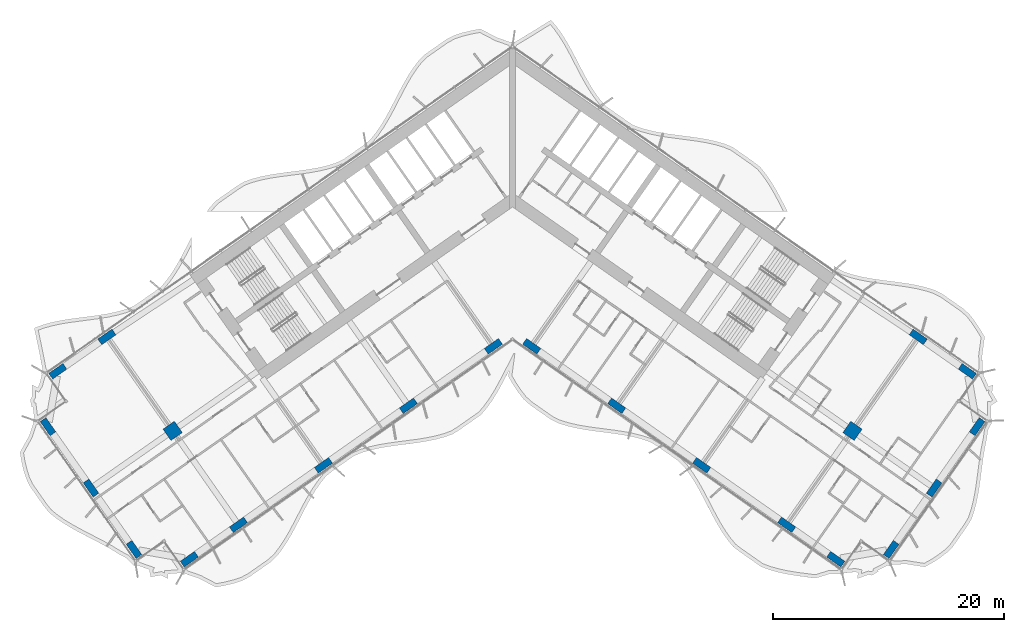
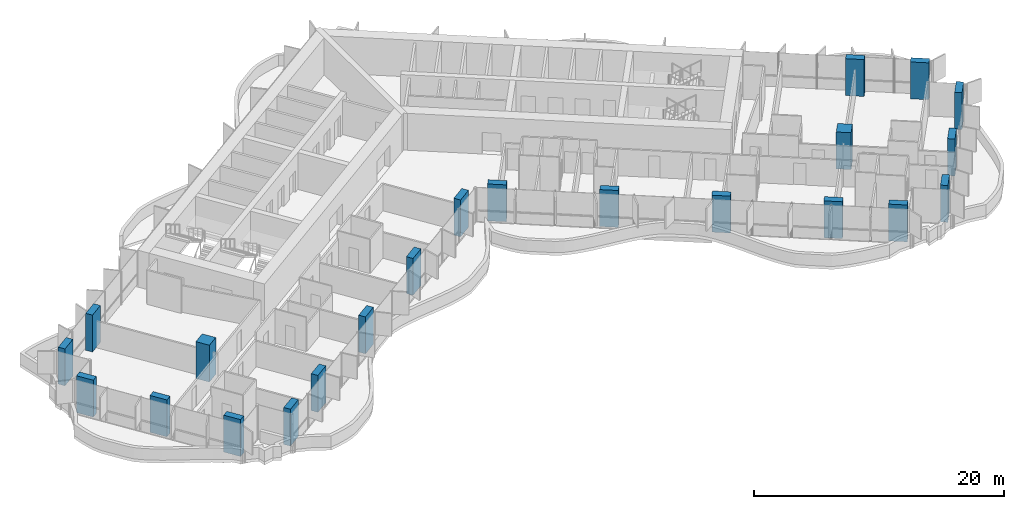
# One storey, part 1 of 23: 22 columns.
"""IFC4 building model written with IfcOpenShell, lengths in metres."""

from ifc_helpers import new_model, si_unit, direction, frame, origin, origin_2d, place, context, subcontext, project, spatial, rectangle, extrude, material, material_profile, profile_set, type_object, element, save


model = new_model("IFC4")

# Units and contexts
model_context = context("Model", 3, precision=1e-05, world=origin(), true_north=direction((0.0, 1.0)))
body_context = subcontext(model_context, "Body", "Model", "MODEL_VIEW")
ifc_project = project(units=[si_unit("LENGTHUNIT", "METRE"), si_unit("AREAUNIT", "SQUARE_METRE"), si_unit("VOLUMEUNIT", "CUBIC_METRE"), si_unit("PLANEANGLEUNIT", "RADIAN"), si_unit("MASSUNIT", "GRAM", prefix="KILO")], contexts=[model_context])

# Site, building, storey
site_placement = place(None, origin())
site = spatial("IfcSite", under=ifc_project, at=site_placement, CompositionType="ELEMENT")
building_placement = place(site_placement, origin())
building = spatial("IfcBuilding", under=site, at=building_placement, Name="Tel Ilan Convention Tower", CompositionType="ELEMENT")
storey_placement = place(building_placement, frame((0.0, 0.0, 115.699951171875)))
storey = spatial("IfcBuildingStorey", under=building, at=storey_placement, Name="L25", CompositionType="ELEMENT", Elevation=115.699951171875)

# Columns
ifc_material_1 = material(Name="Concrete C60/75", Category="concrete")
ifc_material_profile_1 = material_profile(ifc_material_1, rectangle(XDim=1.199951171875, YDim=1.199951171875, at=origin_2d()), Name="RC 1200x1200")
ifc_profile_set_1 = profile_set([ifc_material_profile_1], Name="Concrete C60/75")
column_type_1 = type_object("IfcColumnType", Name="Column RC 1200x1200 C60/75", PredefinedType="COLUMN", material=ifc_profile_set_1)
for number, where, z_axis, x_axis, name in (
    (1, (-29.489501953125, -20.648681640625, 0.0), (0.0, 0.0, 1.0), (-0.819152044289, -0.573576436351, 0.0), "L25 column W-M4"),
    (2, (29.489501953125, -20.648681640625, 0.0), (0.0, 0.0, 1.0), (0.819152044289, -0.573576436351, 0.0), "L25 column E-M4"),
):
    element("IfcColumn", number, at=place(storey_placement, frame(where, z_axis=z_axis, x_axis=x_axis)), inside=storey, type_object=column_type_1, Name=name, PredefinedType="COLUMN", context=body_context, shape_type="SweptSolid", body=[
        extrude(rectangle(XDim=1.199951171875, YDim=1.199951171875, at=origin_2d()), origin(), (0.0, 0.0, 1.0), 3.60009765625),
    ])
ifc_material_2 = material(Name="Concrete C60/75", Category="concrete")
ifc_material_profile_2 = material_profile(ifc_material_2, rectangle(XDim=1.5, YDim=0.60009765625, at=origin_2d()), Name="RC 600x1500")
ifc_profile_set_2 = profile_set([ifc_material_profile_2], Name="Concrete C60/75")
column_type_2 = type_object("IfcColumnType", Name="Column RC 600x1500 C60/75", PredefinedType="COLUMN", material=ifc_profile_set_2)
for number, where, z_axis, x_axis, name in (
    (3, (-1.665283203125, -13.312744140625, 0.0), (0.0, 0.0, 1.0), (-0.819152044289, -0.573576436351, 0.0), "L25 column W-F1"),
    (4, (-9.03759765625, -18.474853515625, 0.0), (0.0, 0.0, 1.0), (-0.819152044289, -0.573576436351, 0.0), "L25 column W-F2"),
    (5, (-16.409912109375, -23.63720703125, 0.0), (0.0, 0.0, 1.0), (-0.819152044289, -0.573576436351, 0.0), "L25 column W-F3"),
    (6, (-23.782470703125, -28.79931640625, 0.0), (0.0, 0.0, 1.0), (-0.819152044289, -0.573576436351, 0.0), "L25 column W-F4"),
    (7, (-28.0419921875, -31.781982421875, 0.0), (0.0, 0.0, 1.0), (-0.819152044289, -0.573576436351, 0.0), "L25 column W-FC"),
    (8, (-35.196533203125, -12.498291015625, 0.0), (0.0, 0.0, 1.0), (-0.819152044289, -0.573576436351, 0.0), "L25 column W-B4"),
    (9, (-39.4560546875, -15.480712890625, 0.0), (0.0, 0.0, 1.0), (-0.819152044289, -0.573576436351, 0.0), "L25 column W-BC"),
    (10, (-32.846923828125, -30.934814453125, 0.0), (0.0, 0.0, 1.0), (-0.573576436351, 0.819152044289, 0.0), "L25 column W-E1"),
    (11, (-36.5751953125, -25.610107421875, 0.0), (0.0, 0.0, 1.0), (-0.573576436351, 0.819152044289, 0.0), "L25 column W-E2"),
    (12, (-40.303466796875, -20.28564453125, 0.0), (0.0, 0.0, 1.0), (-0.573576436351, 0.819152044289, 0.0), "L25 column W-E3"),
    (13, (1.665283203125, -13.312744140625, 0.0), (0.0, 0.0, 1.0), (0.819152044289, -0.573576436351, 0.0), "L25 column E-F1"),
    (14, (9.03759765625, -18.474853515625, 0.0), (0.0, 0.0, 1.0), (0.819152044289, -0.573576436351, 0.0), "L25 column E-F2"),
    (15, (16.409912109375, -23.63720703125, 0.0), (0.0, 0.0, 1.0), (0.819152044289, -0.573576436351, 0.0), "L25 column E-F3"),
    (16, (23.782470703125, -28.79931640625, 0.0), (0.0, 0.0, 1.0), (0.819152044289, -0.573576436351, 0.0), "L25 column E-F4"),
    (17, (28.0419921875, -31.781982421875, 0.0), (0.0, 0.0, 1.0), (0.819152044289, -0.573576436351, 0.0), "L25 column E-FC"),
    (18, (35.196533203125, -12.498291015625, 0.0), (0.0, 0.0, 1.0), (0.819152044289, -0.573576436351, 0.0), "L25 column E-B4"),
    (19, (39.4560546875, -15.480712890625, 0.0), (0.0, 0.0, 1.0), (0.819152044289, -0.573576436351, 0.0), "L25 column E-BC"),
    (20, (32.846923828125, -30.934814453125, 0.0), (0.0, 0.0, 1.0), (0.573576436351, 0.819152044289, 0.0), "L25 column E-E1"),
    (21, (36.5751953125, -25.610107421875, 0.0), (0.0, 0.0, 1.0), (0.573576436351, 0.819152044289, 0.0), "L25 column E-E2"),
    (22, (40.303466796875, -20.28564453125, 0.0), (0.0, 0.0, 1.0), (0.573576436351, 0.819152044289, 0.0), "L25 column E-E3"),
):
    element("IfcColumn", number, at=place(storey_placement, frame(where, z_axis=z_axis, x_axis=x_axis)), inside=storey, type_object=column_type_2, Name=name, PredefinedType="COLUMN", context=body_context, shape_type="SweptSolid", body=[
        extrude(rectangle(XDim=1.5, YDim=0.60009765625, at=origin_2d()), origin(), (0.0, 0.0, 1.0), 3.60009765625),
    ])

save(model, "model.ifc")
